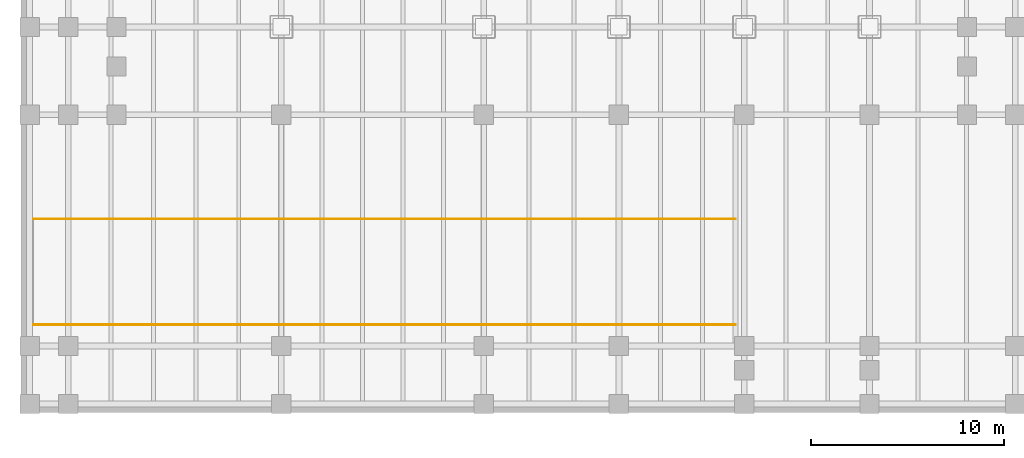
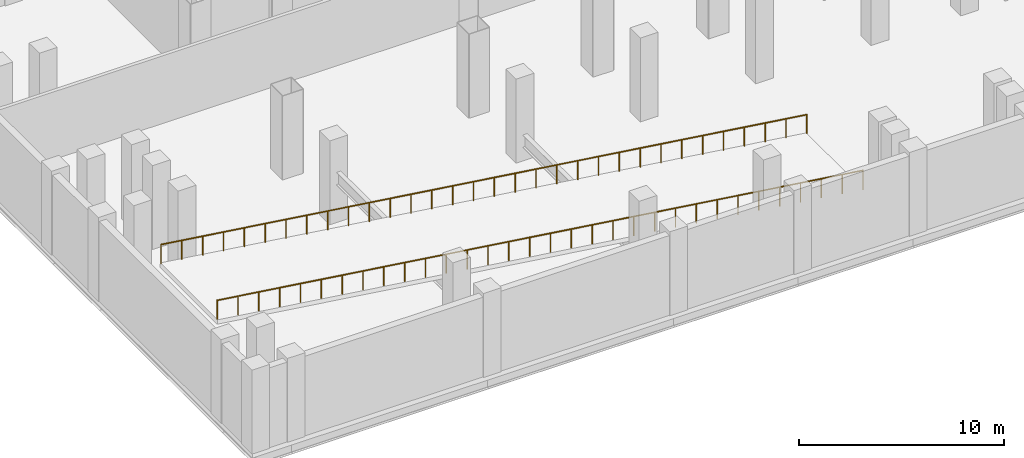
# One storey, part 12 of 18: 2 railings.
"""IFC4 building model written with IfcOpenShell, lengths in metres."""

from ifc_helpers import new_model, si_unit, direction, frame, origin, origin_2d, place, context, subcontext, project, spatial, circle, extrude, material, layer, layer_set, type_object, element, save


model = new_model("IFC4")

# Units and contexts
model_context = context("Model", 3, precision=1e-05, world=origin(), true_north=direction((0.0, 1.0)))
body_context = subcontext(model_context, "Body", "Model", "MODEL_VIEW")
ifc_project = project(units=[si_unit("LENGTHUNIT", "METRE"), si_unit("AREAUNIT", "SQUARE_METRE"), si_unit("VOLUMEUNIT", "CUBIC_METRE"), si_unit("PLANEANGLEUNIT", "RADIAN"), si_unit("MASSUNIT", "GRAM", prefix="KILO")], contexts=[model_context])

# Site, building, storey
site_placement = place(None, origin())
site = spatial("IfcSite", under=ifc_project, at=site_placement, CompositionType="ELEMENT")
building_placement = place(site_placement, origin())
building = spatial("IfcBuilding", under=site, at=building_placement, Name="Noeulbin Bourse Tower", CompositionType="ELEMENT")
storey_placement = place(building_placement, frame((0.0, 0.0, -5.0)))
storey = spatial("IfcBuildingStorey", under=building, at=storey_placement, Name="B01", CompositionType="ELEMENT", Elevation=-5.0)

# Railings
ifc_material = material(Name="Galvanised Tubular Steel S355", Category="steel")
ifc_layer = layer(ifc_material, 0.06005859375)
ifc_layer_set = layer_set([ifc_layer], Name="Galvanised Tubular Steel S355")
railing_type = type_object("IfcRailingType", Name="RLG-RMP-1100", PredefinedType="GUARDRAIL", material=ifc_layer_set)
railing_1_placement = place(storey_placement, frame((0.64990234375, 4.56005859375, 5.0)))
element("IfcRailing", 1, at=railing_1_placement, inside=storey, type_object=railing_type, Name="Ramp Flight South Guardrail GD-R11-FS", PredefinedType="GUARDRAIL", context=body_context, shape_type="SweptSolid", body=[
    extrude(circle(Radius=0.02392578125, at=origin_2d()), frame((0.0, 0.0, 1.1259765625), z_axis=(0.990697269129, 0.0, -0.136084242072), x_axis=(0.0, 1.0, 0.0)), (0.0, 0.0, 1.0), 36.741943359375),
    extrude(circle(Radius=0.02099609375, at=origin_2d()), origin(), (0.0, 0.0, 1.0), 1.101806640625),
    extrude(circle(Radius=0.02099609375, at=origin_2d()), frame((1.17431640625, 0.0, -0.161376953125)), (0.0, 0.0, 1.0), 1.101806640625),
    extrude(circle(Radius=0.02099609375, at=origin_2d()), frame((2.348388671875, 0.0, -0.322509765625)), (0.0, 0.0, 1.0), 1.101806640625),
    extrude(circle(Radius=0.02099609375, at=origin_2d()), frame((3.522705078125, 0.0, -0.48388671875)), (0.0, 0.0, 1.0), 1.101806640625),
    extrude(circle(Radius=0.02099609375, at=origin_2d()), frame((4.69677734375, 0.0, -0.645263671875)), (0.0, 0.0, 1.0), 1.101806640625),
    extrude(circle(Radius=0.02099609375, at=origin_2d()), frame((5.87109375, 0.0, -0.806396484375)), (0.0, 0.0, 1.0), 1.101806640625),
    extrude(circle(Radius=0.02099609375, at=origin_2d()), frame((7.045166015625, 0.0, -0.9677734375)), (0.0, 0.0, 1.0), 1.101806640625),
    extrude(circle(Radius=0.02099609375, at=origin_2d()), frame((8.219482421875, 0.0, -1.129150390625)), (0.0, 0.0, 1.0), 1.101806640625),
    extrude(circle(Radius=0.02099609375, at=origin_2d()), frame((9.3935546875, 0.0, -1.290283203125)), (0.0, 0.0, 1.0), 1.101806640625),
    extrude(circle(Radius=0.02099609375, at=origin_2d()), frame((10.56787109375, 0.0, -1.45166015625)), (0.0, 0.0, 1.0), 1.101806640625),
    extrude(circle(Radius=0.02099609375, at=origin_2d()), frame((11.741943359375, 0.0, -1.61279296875)), (0.0, 0.0, 1.0), 1.101806640625),
    extrude(circle(Radius=0.02099609375, at=origin_2d()), frame((12.916259765625, 0.0, -1.774169921875)), (0.0, 0.0, 1.0), 1.101806640625),
    extrude(circle(Radius=0.02099609375, at=origin_2d()), frame((14.09033203125, 0.0, -1.935546875)), (0.0, 0.0, 1.0), 1.101806640625),
    extrude(circle(Radius=0.02099609375, at=origin_2d()), frame((15.2646484375, 0.0, -2.0966796875)), (0.0, 0.0, 1.0), 1.101806640625),
    extrude(circle(Radius=0.02099609375, at=origin_2d()), frame((16.438720703125, 0.0, -2.258056640625)), (0.0, 0.0, 1.0), 1.101806640625),
    extrude(circle(Radius=0.02099609375, at=origin_2d()), frame((17.613037109375, 0.0, -2.41943359375)), (0.0, 0.0, 1.0), 1.101806640625),
    extrude(circle(Radius=0.02099609375, at=origin_2d()), frame((18.787109375, 0.0, -2.58056640625)), (0.0, 0.0, 1.0), 1.101806640625),
    extrude(circle(Radius=0.02099609375, at=origin_2d()), frame((19.96142578125, 0.0, -2.741943359375)), (0.0, 0.0, 1.0), 1.101806640625),
    extrude(circle(Radius=0.02099609375, at=origin_2d()), frame((21.135498046875, 0.0, -2.9033203125)), (0.0, 0.0, 1.0), 1.101806640625),
    extrude(circle(Radius=0.02099609375, at=origin_2d()), frame((22.309814453125, 0.0, -3.064453125)), (0.0, 0.0, 1.0), 1.101806640625),
    extrude(circle(Radius=0.02099609375, at=origin_2d()), frame((23.48388671875, 0.0, -3.225830078125)), (0.0, 0.0, 1.0), 1.101806640625),
    extrude(circle(Radius=0.02099609375, at=origin_2d()), frame((24.658203125, 0.0, -3.38720703125)), (0.0, 0.0, 1.0), 1.101806640625),
    extrude(circle(Radius=0.02099609375, at=origin_2d()), frame((25.832275390625, 0.0, -3.54833984375)), (0.0, 0.0, 1.0), 1.101806640625),
    extrude(circle(Radius=0.02099609375, at=origin_2d()), frame((27.006591796875, 0.0, -3.709716796875)), (0.0, 0.0, 1.0), 1.101806640625),
    extrude(circle(Radius=0.02099609375, at=origin_2d()), frame((28.1806640625, 0.0, -3.870849609375)), (0.0, 0.0, 1.0), 1.101806640625),
    extrude(circle(Radius=0.02099609375, at=origin_2d()), frame((29.35498046875, 0.0, -4.0322265625)), (0.0, 0.0, 1.0), 1.101806640625),
    extrude(circle(Radius=0.02099609375, at=origin_2d()), frame((30.529052734375, 0.0, -4.193603515625)), (0.0, 0.0, 1.0), 1.101806640625),
    extrude(circle(Radius=0.02099609375, at=origin_2d()), frame((31.703369140625, 0.0, -4.354736328125)), (0.0, 0.0, 1.0), 1.101806640625),
    extrude(circle(Radius=0.02099609375, at=origin_2d()), frame((32.87744140625, 0.0, -4.51611328125)), (0.0, 0.0, 1.0), 1.101806640625),
    extrude(circle(Radius=0.02099609375, at=origin_2d()), frame((34.0517578125, 0.0, -4.677490234375)), (0.0, 0.0, 1.0), 1.101806640625),
    extrude(circle(Radius=0.02099609375, at=origin_2d()), frame((35.225830078125, 0.0, -4.838623046875)), (0.0, 0.0, 1.0), 1.101806640625),
    extrude(circle(Radius=0.02099609375, at=origin_2d()), frame((36.400146484375, 0.0, -5.0)), (0.0, 0.0, 1.0), 1.101806640625),
])
railing_2_placement = place(storey_placement, frame((0.64990234375, 10.0400390625, 5.0)))
element("IfcRailing", 2, at=railing_2_placement, inside=storey, type_object=railing_type, Name="Ramp Flight North Guardrail GD-R11-FN", PredefinedType="GUARDRAIL", context=body_context, shape_type="SweptSolid", body=[
    extrude(circle(Radius=0.02392578125, at=origin_2d()), frame((0.0, 0.0, 1.1259765625), z_axis=(0.990697269129, 0.0, -0.136084242072), x_axis=(0.0, 1.0, 0.0)), (0.0, 0.0, 1.0), 36.741943359375),
    extrude(circle(Radius=0.02099609375, at=origin_2d()), origin(), (0.0, 0.0, 1.0), 1.101806640625),
    extrude(circle(Radius=0.02099609375, at=origin_2d()), frame((1.17431640625, 0.0, -0.161376953125)), (0.0, 0.0, 1.0), 1.101806640625),
    extrude(circle(Radius=0.02099609375, at=origin_2d()), frame((2.348388671875, 0.0, -0.322509765625)), (0.0, 0.0, 1.0), 1.101806640625),
    extrude(circle(Radius=0.02099609375, at=origin_2d()), frame((3.522705078125, 0.0, -0.48388671875)), (0.0, 0.0, 1.0), 1.101806640625),
    extrude(circle(Radius=0.02099609375, at=origin_2d()), frame((4.69677734375, 0.0, -0.645263671875)), (0.0, 0.0, 1.0), 1.101806640625),
    extrude(circle(Radius=0.02099609375, at=origin_2d()), frame((5.87109375, 0.0, -0.806396484375)), (0.0, 0.0, 1.0), 1.101806640625),
    extrude(circle(Radius=0.02099609375, at=origin_2d()), frame((7.045166015625, 0.0, -0.9677734375)), (0.0, 0.0, 1.0), 1.101806640625),
    extrude(circle(Radius=0.02099609375, at=origin_2d()), frame((8.219482421875, 0.0, -1.129150390625)), (0.0, 0.0, 1.0), 1.101806640625),
    extrude(circle(Radius=0.02099609375, at=origin_2d()), frame((9.3935546875, 0.0, -1.290283203125)), (0.0, 0.0, 1.0), 1.101806640625),
    extrude(circle(Radius=0.02099609375, at=origin_2d()), frame((10.56787109375, 0.0, -1.45166015625)), (0.0, 0.0, 1.0), 1.101806640625),
    extrude(circle(Radius=0.02099609375, at=origin_2d()), frame((11.741943359375, 0.0, -1.61279296875)), (0.0, 0.0, 1.0), 1.101806640625),
    extrude(circle(Radius=0.02099609375, at=origin_2d()), frame((12.916259765625, 0.0, -1.774169921875)), (0.0, 0.0, 1.0), 1.101806640625),
    extrude(circle(Radius=0.02099609375, at=origin_2d()), frame((14.09033203125, 0.0, -1.935546875)), (0.0, 0.0, 1.0), 1.101806640625),
    extrude(circle(Radius=0.02099609375, at=origin_2d()), frame((15.2646484375, 0.0, -2.0966796875)), (0.0, 0.0, 1.0), 1.101806640625),
    extrude(circle(Radius=0.02099609375, at=origin_2d()), frame((16.438720703125, 0.0, -2.258056640625)), (0.0, 0.0, 1.0), 1.101806640625),
    extrude(circle(Radius=0.02099609375, at=origin_2d()), frame((17.613037109375, 0.0, -2.41943359375)), (0.0, 0.0, 1.0), 1.101806640625),
    extrude(circle(Radius=0.02099609375, at=origin_2d()), frame((18.787109375, 0.0, -2.58056640625)), (0.0, 0.0, 1.0), 1.101806640625),
    extrude(circle(Radius=0.02099609375, at=origin_2d()), frame((19.96142578125, 0.0, -2.741943359375)), (0.0, 0.0, 1.0), 1.101806640625),
    extrude(circle(Radius=0.02099609375, at=origin_2d()), frame((21.135498046875, 0.0, -2.9033203125)), (0.0, 0.0, 1.0), 1.101806640625),
    extrude(circle(Radius=0.02099609375, at=origin_2d()), frame((22.309814453125, 0.0, -3.064453125)), (0.0, 0.0, 1.0), 1.101806640625),
    extrude(circle(Radius=0.02099609375, at=origin_2d()), frame((23.48388671875, 0.0, -3.225830078125)), (0.0, 0.0, 1.0), 1.101806640625),
    extrude(circle(Radius=0.02099609375, at=origin_2d()), frame((24.658203125, 0.0, -3.38720703125)), (0.0, 0.0, 1.0), 1.101806640625),
    extrude(circle(Radius=0.02099609375, at=origin_2d()), frame((25.832275390625, 0.0, -3.54833984375)), (0.0, 0.0, 1.0), 1.101806640625),
    extrude(circle(Radius=0.02099609375, at=origin_2d()), frame((27.006591796875, 0.0, -3.709716796875)), (0.0, 0.0, 1.0), 1.101806640625),
    extrude(circle(Radius=0.02099609375, at=origin_2d()), frame((28.1806640625, 0.0, -3.870849609375)), (0.0, 0.0, 1.0), 1.101806640625),
    extrude(circle(Radius=0.02099609375, at=origin_2d()), frame((29.35498046875, 0.0, -4.0322265625)), (0.0, 0.0, 1.0), 1.101806640625),
    extrude(circle(Radius=0.02099609375, at=origin_2d()), frame((30.529052734375, 0.0, -4.193603515625)), (0.0, 0.0, 1.0), 1.101806640625),
    extrude(circle(Radius=0.02099609375, at=origin_2d()), frame((31.703369140625, 0.0, -4.354736328125)), (0.0, 0.0, 1.0), 1.101806640625),
    extrude(circle(Radius=0.02099609375, at=origin_2d()), frame((32.87744140625, 0.0, -4.51611328125)), (0.0, 0.0, 1.0), 1.101806640625),
    extrude(circle(Radius=0.02099609375, at=origin_2d()), frame((34.0517578125, 0.0, -4.677490234375)), (0.0, 0.0, 1.0), 1.101806640625),
    extrude(circle(Radius=0.02099609375, at=origin_2d()), frame((35.225830078125, 0.0, -4.838623046875)), (0.0, 0.0, 1.0), 1.101806640625),
    extrude(circle(Radius=0.02099609375, at=origin_2d()), frame((36.400146484375, 0.0, -5.0)), (0.0, 0.0, 1.0), 1.101806640625),
])

save(model, "model.ifc")
